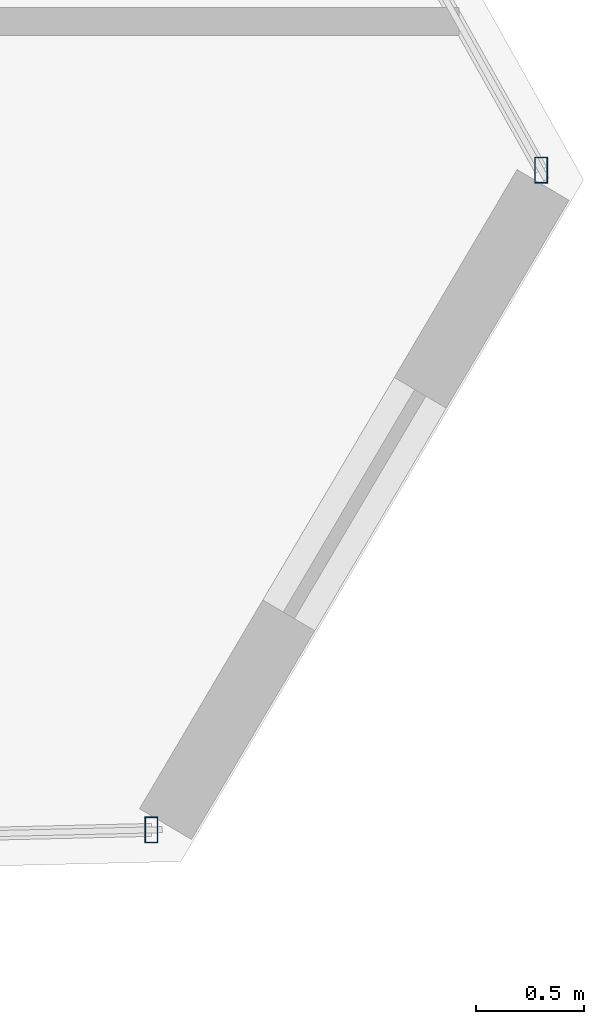
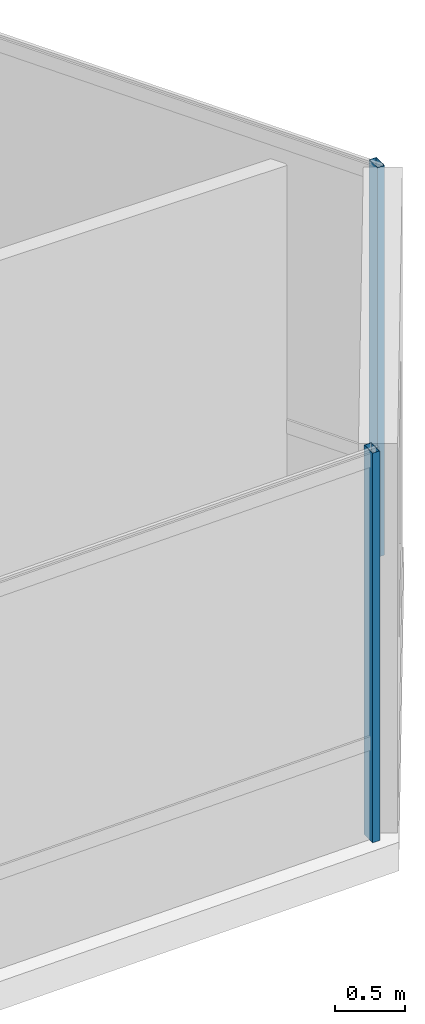
# One storey, part 26 of 46: 2 members, 2 elements without a shape of their own.
"""IFC4 building model written with IfcOpenShell, lengths in metres."""

from ifc_helpers import new_model, si_unit, direction, frame, origin, origin_2d, place, context, subcontext, project, spatial, hollow_rectangle, extrude, source, transform, mapped, material, material_profile, profile_set, type_object, type_shapes, element, aggregate, save


model = new_model("IFC4")

# Units and contexts
model_context = context("Model", 3, precision=1e-05, world=origin(), true_north=direction((0.0, 1.0)))
body_context = subcontext(model_context, "Body", "Model", "MODEL_VIEW")
ifc_project = project(units=[si_unit("LENGTHUNIT", "METRE"), si_unit("AREAUNIT", "SQUARE_METRE"), si_unit("VOLUMEUNIT", "CUBIC_METRE"), si_unit("PLANEANGLEUNIT", "RADIAN"), si_unit("MASSUNIT", "GRAM", prefix="KILO")], contexts=[model_context])

# Site, building, storey
site_placement = place(None, origin())
site = spatial("IfcSite", under=ifc_project, at=site_placement, CompositionType="ELEMENT")
building_placement = place(site_placement, origin())
building = spatial("IfcBuilding", under=site, at=building_placement, Name="Caelisora Broadcast Tower", CompositionType="ELEMENT")
storey_placement = place(building_placement, frame((0.0, 0.0, 251.75)))
storey = spatial("IfcBuildingStorey", under=building, at=storey_placement, Name="L66", CompositionType="ELEMENT", Elevation=251.75)

# Curtain wall, member
ifc_material_1 = material(Name="Unitised Aluminium and Low-E Glass Curtain Wall", Category="glass")
curtain_wall_type = type_object("IfcCurtainWallType", Name="CW-Z5", PredefinedType="NOTDEFINED", material=ifc_material_1)
curtain_wall_1_placement = place(storey_placement, origin())
curtain_wall_1 = element("IfcCurtainWall", 1, at=curtain_wall_1_placement, inside=storey, type_object=curtain_wall_type, Name="L66 curtain wall CW-Z5", PredefinedType="NOTDEFINED")
ifc_material_2 = material(Name="Aluminium 6063-T6 Anodised Terracotta Bronze", Category="aluminium")
ifc_material_profile = material_profile(ifc_material_2, hollow_rectangle(XDim=0.06005859375, YDim=0.1201171875, WallThickness=0.0029296875, at=origin_2d()), Name="Aluminium 6063-T6 Anodised Terracotta Bronze")
ifc_profile_set = profile_set([ifc_material_profile], Name="Aluminium 6063-T6 Anodised Terracotta Bronze")
member_type = type_object("IfcMemberType", Name="CWM-04", PredefinedType="MULLION", material=ifc_profile_set)
shared_shape = source(origin(), body_context, "Body", "SweptSolid", [
    extrude(hollow_rectangle(XDim=0.06005859375, YDim=0.1201171875, WallThickness=0.0029296875, at=origin_2d()), origin(), (0.0, 0.0, 1.0), 3.39990234375),
])
type_shapes(member_type, [shared_shape])
member_1_placement = place(storey_placement, frame((62.573486328125, 11.82958984375, 0.0), z_axis=(0.0, 0.0, 1.0), x_axis=(1.0, 0.0, 0.0)))
member_1 = element("IfcMember", 2, at=member_1_placement, type_object=member_type, Name="L66-CW-B03 mullion #3", PredefinedType="MULLION", context=body_context, shape_type="MappedRepresentation", body=[
    mapped(shared_shape, transform((0.0, 0.0, 0.0), scale=1.0)),
])
aggregate(curtain_wall_1, [member_1])

curtain_wall_2_placement = place(storey_placement, origin())
curtain_wall_2 = element("IfcCurtainWall", 3, at=curtain_wall_2_placement, inside=storey, type_object=curtain_wall_type, Name="L66 curtain wall CW-Z5", PredefinedType="NOTDEFINED")
member_2_placement = place(storey_placement, frame((60.764892578125, 8.766845703125, 0.0), z_axis=(0.0, 0.0, 1.0), x_axis=(1.0, 0.0, 0.0)))
member_2 = element("IfcMember", 4, at=member_2_placement, type_object=member_type, Name="L66-CW-B05 mullion #0", PredefinedType="MULLION", context=body_context, shape_type="MappedRepresentation", body=[
    mapped(shared_shape, transform((0.0, 0.0, 0.0), scale=1.0)),
])
aggregate(curtain_wall_2, [member_2])

save(model, "model.ifc")
